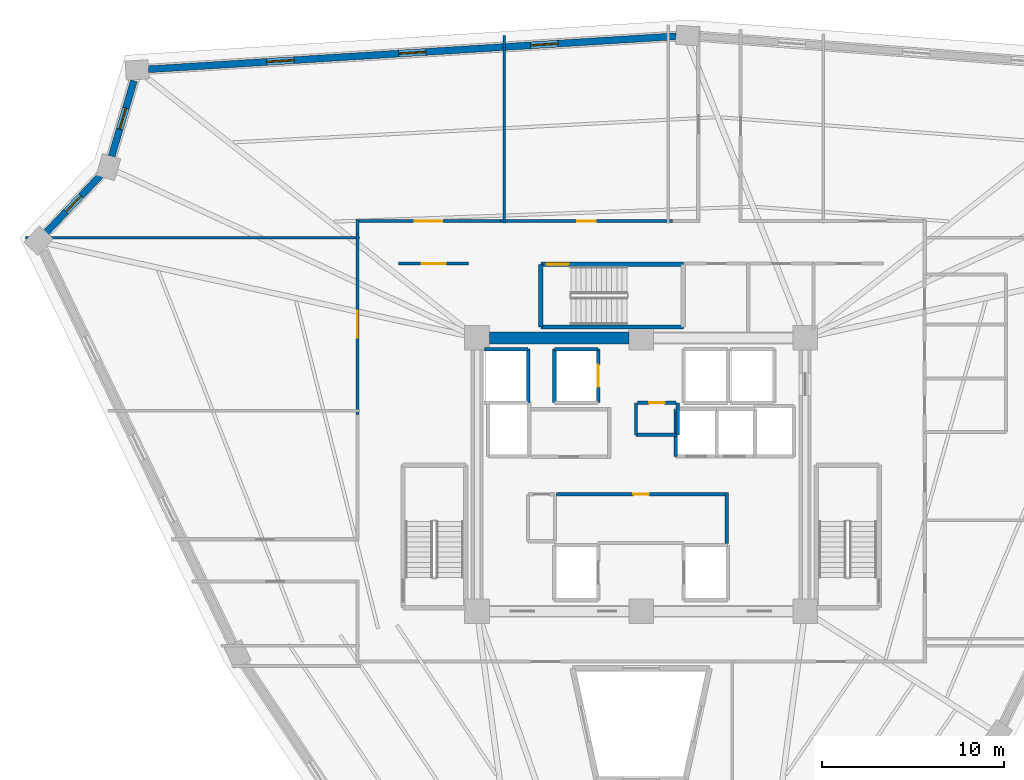
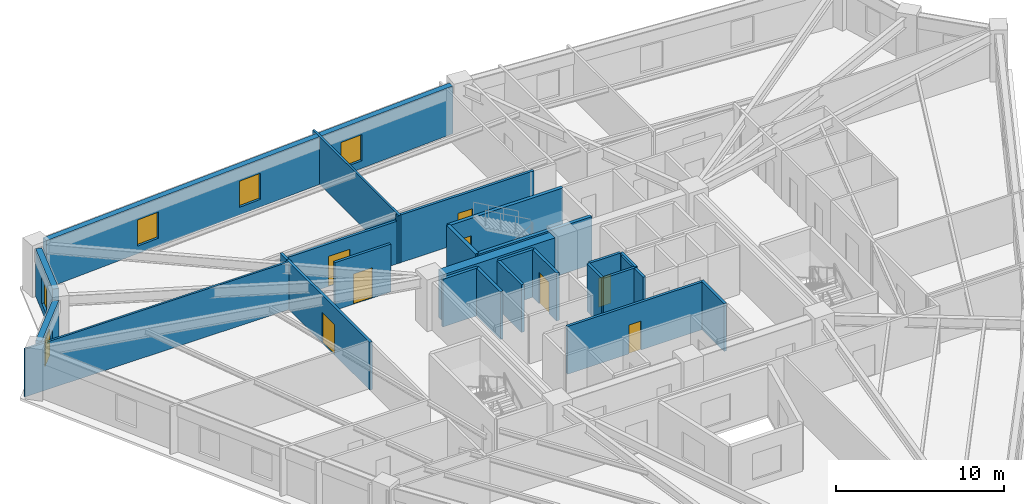
# One storey, part 5 of 9: 26 walls, 8 doors, 5 windows, 13 openings.
"""IFC4 building model written with IfcOpenShell, lengths in metres."""

from ifc_helpers import new_model, si_unit, direction, frame, frame_2d, origin, place, context, subcontext, project, spatial, rectangle, extrude, source, transform, mapped, material, layer, layer_set, type_object, element, fill, save


model = new_model("IFC4")

# Units and contexts
model_context = context("Model", 3, precision=1e-05, world=origin(), true_north=direction((0.0, 1.0)))
body_context = subcontext(model_context, "Body", "Model", "MODEL_VIEW")
ifc_project = project(units=[si_unit("LENGTHUNIT", "METRE"), si_unit("AREAUNIT", "SQUARE_METRE"), si_unit("VOLUMEUNIT", "CUBIC_METRE"), si_unit("PLANEANGLEUNIT", "RADIAN"), si_unit("MASSUNIT", "GRAM", prefix="KILO")], contexts=[model_context])

# Site, building, storey
site_placement = place(None, origin())
site = spatial("IfcSite", under=ifc_project, at=site_placement, CompositionType="ELEMENT")
building_placement = place(site_placement, origin())
building = spatial("IfcBuilding", under=site, at=building_placement, Name="Liaohun Quay Tower", CompositionType="ELEMENT")
storey_placement = place(building_placement, frame((0.0, 0.0, 228.0)))
storey = spatial("IfcBuildingStorey", under=building, at=storey_placement, Name="L59", CompositionType="ELEMENT", Elevation=228.0)

# Wall
ifc_material_1 = material(Name="Concrete C55", Category="concrete")
ifc_layer_1 = layer(ifc_material_1, 0.64990234375, Name="Concrete C55", Category="concrete")
ifc_layer_set_1 = layer_set([ifc_layer_1], Name="Concrete C55")
wall_type_1 = type_object("IfcWallType", Name="WAL-COR-Z3", PredefinedType="SHEAR", material=ifc_layer_set_1)
wall_1_placement = place(storey_placement, frame((51.675048828125, 61.5, 0.0), z_axis=(0.0, 0.0, 1.0), x_axis=(1.0, 0.0, 0.0)))
element("IfcWall", 1, at=wall_1_placement, inside=storey, type_object=wall_type_1, Name="L59 Central Core Shear Wall N-W", PredefinedType="SHEAR", context=body_context, shape_type="SweptSolid", body=[
    extrude(rectangle(XDim=7.64990234375, YDim=0.64990234375, at=frame_2d((3.824951171875, 0.0))), origin(), (0.0, 0.0, 1.0), 3.469970703125),
])

# Wall, openings, windows
ifc_material_2 = material(Name="Precast concrete C50 insulated sandwich", Category="concrete")
ifc_layer_2 = layer(ifc_material_2, 0.3798828125, Name="Precast concrete C50 insulated sandwich", Category="concrete")
ifc_layer_set_2 = layer_set([ifc_layer_2], Name="Precast concrete C50 insulated sandwich")
wall_type_2 = type_object("IfcWallType", Name="WAL-EXT-Z34", PredefinedType="SOLIDWALL", material=ifc_layer_set_2)
wall_2_placement = place(storey_placement, frame((61.927978515625, 78.052978515625, 0.0), z_axis=(0.0, 0.0, 1.0), x_axis=(-0.998042647874, -0.062536973258, 0.0)))
wall_2 = element("IfcWall", 2, at=wall_2_placement, inside=storey, type_object=wall_type_2, Name="L59 Brutalist Precast Pier Wall 07", PredefinedType="SOLIDWALL", context=body_context, shape_type="SweptSolid", body=[
    extrude(rectangle(XDim=29.02197265625, YDim=0.3798828125, at=frame_2d((14.510986328125, 0.0))), origin(), (0.0, 0.0, 1.0), 3.469970703125),
])
shared_shape_1 = source(origin(), body_context, "Body", "SweptSolid", [
    extrude(rectangle(XDim=1.5, YDim=1.89990234375, at=frame_2d((0.75, 0.949951171875))), frame((0.0, 0.199951171875, 0.0), z_axis=(0.0, -1.0, 0.0), x_axis=(1.0, 0.0, 0.0)), (0.0, 0.0, 1.0), 0.39990234375),
])
opening_1_placement = place(wall_2_placement, frame((6.5048828125, 0.0, 0.550048828125)))
opening_1 = element("IfcOpeningElement", 3, at=opening_1_placement, cuts=wall_2, Name="Opening W03", PredefinedType="OPENING", context=body_context, shape_type="MappedRepresentation", body=[
    mapped(shared_shape_1, transform((0.0, 0.0, 0.0), x_axis=(1.0, 0.0, 0.0), y_axis=(0.0, 1.0, 0.0), z_axis=(0.0, 0.0, 1.0), scale=1.0)),
])
opening_2_placement = place(wall_2_placement, frame((13.760986328125, 0.0, 0.550048828125)))
opening_2 = element("IfcOpeningElement", 4, at=opening_2_placement, cuts=wall_2, Name="Opening W03", PredefinedType="OPENING", context=body_context, shape_type="MappedRepresentation", body=[
    mapped(shared_shape_1, transform((0.0, 0.0, 0.0), x_axis=(1.0, 0.0, 0.0), y_axis=(0.0, 1.0, 0.0), z_axis=(0.0, 0.0, 1.0), scale=1.0)),
])
opening_3_placement = place(wall_2_placement, frame((21.01611328125, 0.0, 0.550048828125)))
opening_3 = element("IfcOpeningElement", 5, at=opening_3_placement, cuts=wall_2, Name="Opening W03", PredefinedType="OPENING", context=body_context, shape_type="MappedRepresentation", body=[
    mapped(shared_shape_1, transform((0.0, 0.0, 0.0), x_axis=(1.0, 0.0, 0.0), y_axis=(0.0, 1.0, 0.0), z_axis=(0.0, 0.0, 1.0), scale=1.0)),
])
ifc_material_3 = material(Name="Triple Low-E argon glazing in thermally broken aluminium", Category="aluminium")
window_type_1 = type_object("IfcWindowType", Name="WIN-PUN-Z3", PartitioningType="DOUBLE_PANEL_VERTICAL", PredefinedType="WINDOW", material=ifc_material_3)
shared_shape_2 = source(origin(), body_context, "Body", "SweptSolid", [
    extrude(rectangle(XDim=1.5, YDim=1.89990234375, at=frame_2d((0.75, 0.949951171875))), frame((0.0, 0.030029296875, 0.0), z_axis=(0.0, -1.0, 0.0), x_axis=(1.0, 0.0, 0.0)), (0.0, 0.0, 1.0), 0.06005859375),
])
window_1_placement = place(opening_1_placement, origin())
window_1 = element("IfcWindow", 6, at=window_1_placement, inside=storey, type_object=window_type_1, Name="L59 Recessed Cold-Climate Punched Window 07-1", OverallHeight=1.89990234375, OverallWidth=1.5, PartitioningType="DOUBLE_PANEL_VERTICAL", PredefinedType="WINDOW", context=body_context, shape_type="MappedRepresentation", body=[
    mapped(shared_shape_2, transform((0.0, 0.0, 0.0), x_axis=(1.0, 0.0, 0.0), y_axis=(0.0, 1.0, 0.0), z_axis=(0.0, 0.0, 1.0), scale=1.0)),
])
fill(opening_1, window_1)
window_2_placement = place(opening_2_placement, origin())
window_2 = element("IfcWindow", 7, at=window_2_placement, inside=storey, type_object=window_type_1, Name="L59 Recessed Cold-Climate Punched Window 07-2", OverallHeight=1.89990234375, OverallWidth=1.5, PartitioningType="DOUBLE_PANEL_VERTICAL", PredefinedType="WINDOW", context=body_context, shape_type="MappedRepresentation", body=[
    mapped(shared_shape_2, transform((0.0, 0.0, 0.0), x_axis=(1.0, 0.0, 0.0), y_axis=(0.0, 1.0, 0.0), z_axis=(0.0, 0.0, 1.0), scale=1.0)),
])
fill(opening_2, window_2)
window_3_placement = place(opening_3_placement, origin())
window_3 = element("IfcWindow", 8, at=window_3_placement, inside=storey, type_object=window_type_1, Name="L59 Recessed Cold-Climate Punched Window 07-3", OverallHeight=1.89990234375, OverallWidth=1.5, PartitioningType="DOUBLE_PANEL_VERTICAL", PredefinedType="WINDOW", context=body_context, shape_type="MappedRepresentation", body=[
    mapped(shared_shape_2, transform((0.0, 0.0, 0.0), x_axis=(1.0, 0.0, 0.0), y_axis=(0.0, 1.0, 0.0), z_axis=(0.0, 0.0, 1.0), scale=1.0)),
])
fill(opening_3, window_3)

# Wall, opening, window
wall_3_placement = place(storey_placement, frame((32.175048828125, 75.610107421875, 0.0), z_axis=(0.0, 0.0, 1.0), x_axis=(-0.282762120178, -0.959190066354, 0.0)))
wall_3 = element("IfcWall", 9, at=wall_3_placement, inside=storey, type_object=wall_type_2, Name="L59 Brutalist Precast Pier Wall 08", PredefinedType="SOLIDWALL", context=body_context, shape_type="SweptSolid", body=[
    extrude(rectangle(XDim=4.32568359375, YDim=0.3798828125, at=frame_2d((2.162841796875, 0.0))), origin(), (0.0, 0.0, 1.0), 3.469970703125),
])
shared_shape_3 = source(origin(), body_context, "Body", "SweptSolid", [
    extrude(rectangle(XDim=1.199951171875, YDim=1.89990234375, at=frame_2d((0.60009765625, 0.949951171875))), frame((0.0, 0.199951171875, 0.0), z_axis=(0.0, -1.0, 0.0), x_axis=(1.0, 0.0, 0.0)), (0.0, 0.0, 1.0), 0.39990234375),
])
opening_4_placement = place(wall_3_placement, frame((1.56298828125, 0.0, 0.550048828125)))
opening_4 = element("IfcOpeningElement", 10, at=opening_4_placement, cuts=wall_3, Name="Opening W05", PredefinedType="OPENING", context=body_context, shape_type="MappedRepresentation", body=[
    mapped(shared_shape_3, transform((0.0, 0.0, 0.0), x_axis=(1.0, 0.0, 0.0), y_axis=(0.0, 1.0, 0.0), z_axis=(0.0, 0.0, 1.0), scale=1.0)),
])
ifc_material_4 = material(Name="Triple Low-E corner notch glazing", Category="glass")
window_type_2 = type_object("IfcWindowType", Name="WIN-NOTCH", PartitioningType="SINGLE_PANEL", PredefinedType="WINDOW", material=ifc_material_4)
shared_shape_4 = source(origin(), body_context, "Body", "SweptSolid", [
    extrude(rectangle(XDim=1.199951171875, YDim=1.89990234375, at=frame_2d((0.60009765625, 0.949951171875))), frame((0.0, 0.030029296875, 0.0), z_axis=(0.0, -1.0, 0.0), x_axis=(1.0, 0.0, 0.0)), (0.0, 0.0, 1.0), 0.06005859375),
])
window_4_placement = place(opening_4_placement, origin())
window_4 = element("IfcWindow", 11, at=window_4_placement, inside=storey, type_object=window_type_2, Name="L59 Corner Notch Window W05-08", OverallHeight=1.89990234375, OverallWidth=1.199951171875, PartitioningType="SINGLE_PANEL", PredefinedType="WINDOW", context=body_context, shape_type="MappedRepresentation", body=[
    mapped(shared_shape_4, transform((0.0, 0.0, 0.0), x_axis=(1.0, 0.0, 0.0), y_axis=(0.0, 1.0, 0.0), z_axis=(0.0, 0.0, 1.0), scale=1.0)),
])
fill(opening_4, window_4)

wall_4_placement = place(storey_placement, frame((30.35400390625, 70.425048828125, 0.0), z_axis=(0.0, 0.0, 1.0), x_axis=(-0.689360975367, -0.724418004774, 0.0)))
wall_4 = element("IfcWall", 12, at=wall_4_placement, inside=storey, type_object=wall_type_2, Name="L59 Brutalist Precast Pier Wall 09", PredefinedType="SOLIDWALL", context=body_context, shape_type="SweptSolid", body=[
    extrude(rectangle(XDim=4.331787109375, YDim=0.3798828125, at=frame_2d((2.166015625, 0.0))), origin(), (0.0, 0.0, 1.0), 3.469970703125),
])
opening_5_placement = place(wall_4_placement, frame((1.56591796875, 0.0, 0.550048828125)))
opening_5 = element("IfcOpeningElement", 13, at=opening_5_placement, cuts=wall_4, Name="Opening W05", PredefinedType="OPENING", context=body_context, shape_type="MappedRepresentation", body=[
    mapped(shared_shape_3, transform((0.0, 0.0, 0.0), x_axis=(1.0, 0.0, 0.0), y_axis=(0.0, 1.0, 0.0), z_axis=(0.0, 0.0, 1.0), scale=1.0)),
])
window_5_placement = place(opening_5_placement, origin())
window_5 = element("IfcWindow", 14, at=window_5_placement, inside=storey, type_object=window_type_2, Name="L59 Corner Notch Window W05-09", OverallHeight=1.89990234375, OverallWidth=1.199951171875, PartitioningType="SINGLE_PANEL", PredefinedType="WINDOW", context=body_context, shape_type="MappedRepresentation", body=[
    mapped(shared_shape_4, transform((0.0, 0.0, 0.0), x_axis=(1.0, 0.0, 0.0), y_axis=(0.0, 1.0, 0.0), z_axis=(0.0, 0.0, 1.0), scale=1.0)),
])
fill(opening_5, window_5)

# Wall, opening, door
ifc_material_5 = material(Name="Autoclaved aerated concrete blockwork", Category="masonry")
ifc_layer_3 = layer(ifc_material_5, 0.179931640625, Name="Autoclaved aerated concrete blockwork", Category="masonry")
ifc_layer_set_3 = layer_set([ifc_layer_3], Name="Autoclaved aerated concrete blockwork")
wall_type_3 = type_object("IfcWallType", Name="WAL-PRT-COR", PredefinedType="PARTITIONING", material=ifc_layer_set_3)
wall_5_placement = place(storey_placement, frame((55.3701171875, 52.919921875, 0.0), z_axis=(0.0, 0.0, 1.0), x_axis=(1.0, 0.0, 0.0)))
wall_5 = element("IfcWall", 15, at=wall_5_placement, inside=storey, type_object=wall_type_3, Name="L59 Interior Partition Wall 001", PredefinedType="PARTITIONING", context=body_context, shape_type="SweptSolid", body=[
    extrude(rectangle(XDim=9.239990234375, YDim=0.179931640625, at=frame_2d((4.6201171875, 0.0))), origin(), (0.0, 0.0, 1.0), 3.469970703125),
])
shared_shape_5 = source(origin(), body_context, "Body", "SweptSolid", [
    extrude(rectangle(XDim=0.85009765625, YDim=2.10009765625, at=frame_2d((0.425048828125, 1.050048828125))), frame((0.0, 0.099853515625, 0.0), z_axis=(0.0, -1.0, 0.0), x_axis=(1.0, 0.0, 0.0)), (0.0, 0.0, 1.0), 0.199951171875),
])
opening_6_placement = place(wall_5_placement, frame((4.205078125, 0.0, 0.0)))
opening_6 = element("IfcOpeningElement", 16, at=opening_6_placement, cuts=wall_5, Name="Opening AD1", PredefinedType="OPENING", context=body_context, shape_type="MappedRepresentation", body=[
    mapped(shared_shape_5, transform((0.0, 0.0, 0.0), x_axis=(1.0, 0.0, 0.0), y_axis=(0.0, 1.0, 0.0), z_axis=(0.0, 0.0, 1.0), scale=1.0)),
])
ifc_material_6 = material(Name="Steel riser inspection fire door", Category="steel")
door_type_1 = type_object("IfcDoorType", Name="DOR-SHF-850", OperationType="NOTDEFINED", PredefinedType="DOOR", material=ifc_material_6)
shared_shape_6 = source(origin(), body_context, "Body", "SweptSolid", [
    extrude(rectangle(XDim=0.85009765625, YDim=2.10009765625, at=frame_2d((0.425048828125, 1.050048828125))), frame((0.0, 0.02490234375, 0.0), z_axis=(0.0, -1.0, 0.0), x_axis=(1.0, 0.0, 0.0)), (0.0, 0.0, 1.0), 0.050048828125),
])
door_1_placement = place(opening_6_placement, origin())
door_1 = element("IfcDoor", 17, at=door_1_placement, inside=storey, type_object=door_type_1, Name="L59 Core Tenant Storage and Archive Room Door", OperationType="SINGLE_SWING_RIGHT", OverallHeight=2.10009765625, OverallWidth=0.85009765625, PredefinedType="DOOR", context=body_context, shape_type="MappedRepresentation", body=[
    mapped(shared_shape_6, transform((0.0, 0.0, 0.0), x_axis=(1.0, 0.0, 0.0), y_axis=(0.0, 1.0, 0.0), z_axis=(0.0, 0.0, 1.0), scale=1.0)),
])
fill(opening_6, door_1)

wall_6_placement = place(storey_placement, frame((59.81005859375, 57.949951171875, 0.0), z_axis=(0.0, 0.0, 1.0), x_axis=(1.0, 0.0, 0.0)))
wall_6 = element("IfcWall", 18, at=wall_6_placement, inside=storey, type_object=wall_type_3, Name="L59 Interior Partition Wall 003", PredefinedType="PARTITIONING", context=body_context, shape_type="SweptSolid", body=[
    extrude(rectangle(XDim=2.10986328125, YDim=0.179931640625, at=frame_2d((1.054931640625, 0.0))), origin(), (0.0, 0.0, 1.0), 3.469970703125),
])
opening_7_placement = place(wall_6_placement, frame((0.635009765625, 0.0, 0.0)))
opening_7 = element("IfcOpeningElement", 19, at=opening_7_placement, cuts=wall_6, Name="Opening AD1", PredefinedType="OPENING", context=body_context, shape_type="MappedRepresentation", body=[
    mapped(shared_shape_5, transform((0.0, 0.0, 0.0), x_axis=(1.0, 0.0, 0.0), y_axis=(0.0, 1.0, 0.0), z_axis=(0.0, 0.0, 1.0), scale=1.0)),
])
door_2_placement = place(opening_7_placement, origin())
door_2 = element("IfcDoor", 20, at=door_2_placement, inside=storey, type_object=door_type_1, Name="L59 Core Janitor and Cleaner Store Door", OperationType="SINGLE_SWING_RIGHT", OverallHeight=2.10009765625, OverallWidth=0.85009765625, PredefinedType="DOOR", context=body_context, shape_type="MappedRepresentation", body=[
    mapped(shared_shape_6, transform((0.0, 0.0, 0.0), x_axis=(1.0, 0.0, 0.0), y_axis=(0.0, 1.0, 0.0), z_axis=(0.0, 0.0, 1.0), scale=1.0)),
])
fill(opening_7, door_2)

wall_7_placement = place(storey_placement, frame((46.699951171875, 65.580078125, 0.0), z_axis=(0.0, 0.0, 1.0), x_axis=(1.0, 0.0, 0.0)))
wall_7 = element("IfcWall", 21, at=wall_7_placement, inside=storey, type_object=wall_type_3, Name="L59 Interior Partition Wall 010", PredefinedType="PARTITIONING", context=body_context, shape_type="SweptSolid", body=[
    extrude(rectangle(XDim=3.840087890625, YDim=0.179931640625, at=frame_2d((1.919921875, 0.0))), origin(), (0.0, 0.0, 1.0), 3.469970703125),
])
shared_shape_7 = source(origin(), body_context, "Body", "SweptSolid", [
    extrude(rectangle(XDim=1.300048828125, YDim=2.199951171875, at=frame_2d((0.64990234375, 1.10009765625))), frame((0.0, 0.099853515625, 0.0), z_axis=(0.0, -1.0, 0.0), x_axis=(1.0, 0.0, 0.0)), (0.0, 0.0, 1.0), 0.199951171875),
])
opening_8_placement = place(wall_7_placement, frame((1.27001953125, 0.0, 0.0)))
opening_8 = element("IfcOpeningElement", 22, at=opening_8_placement, cuts=wall_7, Name="Opening FD1", PredefinedType="OPENING", context=body_context, shape_type="MappedRepresentation", body=[
    mapped(shared_shape_7, transform((0.0, 0.0, 0.0), x_axis=(1.0, 0.0, 0.0), y_axis=(0.0, 1.0, 0.0), z_axis=(0.0, 0.0, 1.0), scale=1.0)),
])
ifc_material_7 = material(Name="Galvanised steel smokeproof fire door", Category="steel")
door_type_2 = type_object("IfcDoorType", Name="DOR-FFL-1300", OperationType="NOTDEFINED", PredefinedType="DOOR", material=ifc_material_7)
shared_shape_8 = source(origin(), body_context, "Body", "SweptSolid", [
    extrude(rectangle(XDim=1.300048828125, YDim=2.199951171875, at=frame_2d((0.64990234375, 1.10009765625))), frame((0.0, 0.02490234375, 0.0), z_axis=(0.0, -1.0, 0.0), x_axis=(1.0, 0.0, 0.0)), (0.0, 0.0, 1.0), 0.050048828125),
])
door_3_placement = place(opening_8_placement, origin())
door_3 = element("IfcDoor", 23, at=door_3_placement, inside=storey, type_object=door_type_2, Name="L59 West Core Vestibule Door", OperationType="SINGLE_SWING_LEFT", OverallHeight=2.199951171875, OverallWidth=1.300048828125, PredefinedType="DOOR", context=body_context, shape_type="MappedRepresentation", body=[
    mapped(shared_shape_8, transform((0.0, 0.0, 0.0), x_axis=(1.0, 0.0, 0.0), y_axis=(0.0, 1.0, 0.0), z_axis=(0.0, 0.0, 1.0), scale=1.0)),
])
fill(opening_8, door_3)

wall_8_placement = place(storey_placement, frame((52.284912109375, 67.909912109375, 0.0), z_axis=(0.0, 0.0, 1.0), x_axis=(1.0, 0.0, 0.0)))
wall_8 = element("IfcWall", 24, at=wall_8_placement, inside=storey, type_object=wall_type_3, Name="L59 Interior Partition Wall 016", PredefinedType="PARTITIONING", context=body_context, shape_type="SweptSolid", body=[
    extrude(rectangle(XDim=9.43017578125, YDim=0.179931640625, at=frame_2d((4.715087890625, 0.0))), origin(), (0.0, 0.0, 1.0), 3.469970703125),
])
shared_shape_9 = source(origin(), body_context, "Body", "SweptSolid", [
    extrude(rectangle(XDim=1.0, YDim=2.199951171875, at=frame_2d((0.5, 1.10009765625))), frame((0.0, 0.099853515625, 0.0), z_axis=(0.0, -1.0, 0.0), x_axis=(1.0, 0.0, 0.0)), (0.0, 0.0, 1.0), 0.199951171875),
])
opening_9_placement = place(wall_8_placement, frame((4.215087890625, 0.0, 0.0)))
opening_9 = element("IfcOpeningElement", 25, at=opening_9_placement, cuts=wall_8, Name="Opening OD1", PredefinedType="OPENING", context=body_context, shape_type="MappedRepresentation", body=[
    mapped(shared_shape_9, transform((0.0, 0.0, 0.0), x_axis=(1.0, 0.0, 0.0), y_axis=(0.0, 1.0, 0.0), z_axis=(0.0, 0.0, 1.0), scale=1.0)),
])
ifc_material_8 = material(Name="Solid-core oak veneer timber leaf in steel frame", Category="steel")
door_type_3 = type_object("IfcDoorType", Name="DOR-OFF-1000", OperationType="NOTDEFINED", PredefinedType="DOOR", material=ifc_material_8)
shared_shape_10 = source(origin(), body_context, "Body", "SweptSolid", [
    extrude(rectangle(XDim=1.0, YDim=2.199951171875, at=frame_2d((0.5, 1.10009765625))), frame((0.0, 0.02490234375, 0.0), z_axis=(0.0, -1.0, 0.0), x_axis=(1.0, 0.0, 0.0)), (0.0, 0.0, 1.0), 0.050048828125),
])
door_4_placement = place(opening_9_placement, origin())
door_4 = element("IfcDoor", 26, at=door_4_placement, inside=storey, type_object=door_type_3, Name="L59 Corporate Exhibition Gallery 05 Door", OperationType="SINGLE_SWING_LEFT", OverallHeight=2.199951171875, OverallWidth=1.0, PredefinedType="DOOR", context=body_context, shape_type="MappedRepresentation", body=[
    mapped(shared_shape_10, transform((0.0, 0.0, 0.0), x_axis=(1.0, 0.0, 0.0), y_axis=(0.0, 1.0, 0.0), z_axis=(0.0, 0.0, 1.0), scale=1.0)),
])
fill(opening_9, door_4)

wall_9_placement = place(storey_placement, frame((44.3701171875, 67.909912109375, 0.0), z_axis=(0.0, 0.0, 1.0), x_axis=(1.0, 0.0, 0.0)))
wall_9 = element("IfcWall", 27, at=wall_9_placement, inside=storey, type_object=wall_type_3, Name="L59 Interior Partition Wall 017", PredefinedType="PARTITIONING", context=body_context, shape_type="SweptSolid", body=[
    extrude(rectangle(XDim=7.914794921875, YDim=0.179931640625, at=frame_2d((3.95751953125, 0.0))), origin(), (0.0, 0.0, 1.0), 3.10498046875),
])
shared_shape_11 = source(origin(), body_context, "Body", "SweptSolid", [
    extrude(rectangle(XDim=1.5, YDim=2.199951171875, at=frame_2d((0.75, 1.10009765625))), frame((0.0, 0.099853515625, 0.0), z_axis=(0.0, -1.0, 0.0), x_axis=(1.0, 0.0, 0.0)), (0.0, 0.0, 1.0), 0.199951171875),
])
opening_10_placement = place(wall_9_placement, frame((3.20703125, 0.0, 0.0)))
opening_10 = element("IfcOpeningElement", 28, at=opening_10_placement, cuts=wall_9, Name="Opening OD2", PredefinedType="OPENING", context=body_context, shape_type="MappedRepresentation", body=[
    mapped(shared_shape_11, transform((0.0, 0.0, 0.0), x_axis=(1.0, 0.0, 0.0), y_axis=(0.0, 1.0, 0.0), z_axis=(0.0, 0.0, 1.0), scale=1.0)),
])
ifc_material_9 = material(Name="Acoustic oak veneer double door")
door_type_4 = type_object("IfcDoorType", Name="DOR-OFF-1500", OperationType="DOUBLE_DOOR_SINGLE_SWING", PredefinedType="DOOR", material=ifc_material_9)
shared_shape_12 = source(origin(), body_context, "Body", "SweptSolid", [
    extrude(rectangle(XDim=1.5, YDim=2.199951171875, at=frame_2d((0.75, 1.10009765625))), frame((0.0, 0.02490234375, 0.0), z_axis=(0.0, -1.0, 0.0), x_axis=(1.0, 0.0, 0.0)), (0.0, 0.0, 1.0), 0.050048828125),
])
door_5_placement = place(opening_10_placement, origin())
door_5 = element("IfcDoor", 29, at=door_5_placement, inside=storey, type_object=door_type_4, Name="L59 Staff Tea Kitchen and Pantry 06 Door", OperationType="DOUBLE_DOOR_SINGLE_SWING", OverallHeight=2.199951171875, OverallWidth=1.5, PredefinedType="DOOR", context=body_context, shape_type="MappedRepresentation", body=[
    mapped(shared_shape_12, transform((0.0, 0.0, 0.0), x_axis=(1.0, 0.0, 0.0), y_axis=(0.0, 1.0, 0.0), z_axis=(0.0, 0.0, 1.0), scale=1.0)),
])
fill(opening_10, door_5)

wall_10_placement = place(storey_placement, frame((44.43994140625, 57.284912109375, 0.0), z_axis=(0.0, 0.0, 1.0), x_axis=(0.0, 1.0, 0.0)))
wall_10 = element("IfcWall", 30, at=wall_10_placement, inside=storey, type_object=wall_type_3, Name="L59 Interior Partition Wall 018", PredefinedType="PARTITIONING", context=body_context, shape_type="SweptSolid", body=[
    extrude(rectangle(XDim=9.93017578125, YDim=0.179931640625, at=frame_2d((4.965087890625, 0.0))), origin(), (0.0, 0.0, 1.0), 3.469970703125),
])
opening_11_placement = place(wall_10_placement, frame((4.215087890625, 0.0, 0.0)))
opening_11 = element("IfcOpeningElement", 31, at=opening_11_placement, cuts=wall_10, Name="Opening OD2", PredefinedType="OPENING", context=body_context, shape_type="MappedRepresentation", body=[
    mapped(shared_shape_11, transform((0.0, 0.0, 0.0), x_axis=(1.0, 0.0, 0.0), y_axis=(0.0, 1.0, 0.0), z_axis=(0.0, 0.0, 1.0), scale=1.0)),
])
door_6_placement = place(opening_11_placement, origin())
door_6 = element("IfcDoor", 32, at=door_6_placement, inside=storey, type_object=door_type_4, Name="L59 Staff Daycare Nursery 07 Door", OperationType="DOUBLE_DOOR_SINGLE_SWING", OverallHeight=2.199951171875, OverallWidth=1.5, PredefinedType="DOOR", context=body_context, shape_type="MappedRepresentation", body=[
    mapped(shared_shape_12, transform((0.0, 0.0, 0.0), x_axis=(1.0, 0.0, 0.0), y_axis=(0.0, 1.0, 0.0), z_axis=(0.0, 0.0, 1.0), scale=1.0)),
])
fill(opening_11, door_6)

# Walls
for number, where, z_axis, x_axis, name in (
    (33, (59.719970703125, 56.179931640625, 0.0), (0.0, 0.0, 1.0), (0.0, 1.0, 0.0), "L59 Interior Partition Wall 024"),
    (34, (62.010009765625, 56.179931640625, 0.0), (0.0, 0.0, 1.0), (0.0, 1.0, 0.0), "L59 Interior Partition Wall 025"),
):
    element("IfcWall", number, at=place(storey_placement, frame(where, z_axis=z_axis, x_axis=x_axis)), inside=storey, type_object=wall_type_3, Name=name, PredefinedType="PARTITIONING", context=body_context, shape_type="SweptSolid", body=[
        extrude(rectangle(XDim=1.739990234375, YDim=0.179931640625, at=frame_2d((0.8701171875, 0.0))), origin(), (0.0, 0.0, 1.0), 3.469970703125),
    ])
wall_11_placement = place(storey_placement, frame((59.719970703125, 56.179931640625, 0.0), z_axis=(0.0, 0.0, 1.0), x_axis=(1.0, 0.0, 0.0)))
element("IfcWall", 35, at=wall_11_placement, inside=storey, type_object=wall_type_3, Name="L59 Interior Partition Wall 026", PredefinedType="PARTITIONING", context=body_context, shape_type="SweptSolid", body=[
    extrude(rectangle(XDim=2.2900390625, YDim=0.179931640625, at=frame_2d((1.14501953125, 0.0))), origin(), (0.0, 0.0, 1.0), 3.469970703125),
])
wall_12_placement = place(storey_placement, frame((44.43994140625, 67.215087890625, 0.0), z_axis=(0.0, 0.0, 1.0), x_axis=(0.0, 1.0, 0.0)))
element("IfcWall", 36, at=wall_12_placement, inside=storey, type_object=wall_type_3, Name="L59 Interior Partition Wall 041", PredefinedType="PARTITIONING", context=body_context, shape_type="SweptSolid", body=[
    extrude(rectangle(XDim=0.764892578125, YDim=0.179931640625, at=frame_2d((0.38232421875, 0.0))), origin(), (0.0, 0.0, 1.0), 3.469970703125),
])
wall_13_placement = place(storey_placement, frame((64.699951171875, 50.219970703125, 0.0), z_axis=(0.0, 0.0, 1.0), x_axis=(0.0, 1.0, 0.0)))
element("IfcWall", 37, at=wall_13_placement, inside=storey, type_object=wall_type_3, Name="L59 Interior Partition Wall 058", PredefinedType="PARTITIONING", context=body_context, shape_type="SweptSolid", body=[
    extrude(rectangle(XDim=2.7900390625, YDim=0.179931640625, at=frame_2d((1.39501953125, 0.0))), origin(), (0.0, 0.0, 1.0), 3.469970703125),
])
ifc_material_10 = material(Name="Gypsum board on twin steel studs", Category="steel")
ifc_layer_4 = layer(ifc_material_10, 0.139892578125, Name="Gypsum board on twin steel studs", Category="steel")
ifc_layer_set_4 = layer_set([ifc_layer_4], Name="Gypsum board on twin steel studs")
wall_type_4 = type_object("IfcWallType", Name="WAL-PRT-OFF", PredefinedType="PARTITIONING", material=ifc_layer_set_4)
wall_14_placement = place(storey_placement, frame((44.5400390625, 67.0, 0.0), z_axis=(0.0, 0.0, 1.0), x_axis=(-1.0, 0.0, 0.0)))
element("IfcWall", 38, at=wall_14_placement, inside=storey, type_object=wall_type_4, Name="L59 Interior Partition Wall 049", PredefinedType="PARTITIONING", context=body_context, shape_type="SweptSolid", body=[
    extrude(rectangle(XDim=18.31396484375, YDim=0.139892578125, at=frame_2d((9.156982421875, 0.0))), origin(), (0.0, 0.0, 1.0), 3.469970703125),
])
wall_15_placement = place(storey_placement, frame((52.5, 67.81005859375, 0.0), z_axis=(0.0, 0.0, 1.0), x_axis=(0.0, 1.0, 0.0)))
element("IfcWall", 39, at=wall_15_placement, inside=storey, type_object=wall_type_4, Name="L59 Interior Partition Wall 054", PredefinedType="PARTITIONING", context=body_context, shape_type="SweptSolid", body=[
    extrude(rectangle(XDim=10.282958984375, YDim=0.139892578125, at=frame_2d((5.1416015625, 0.0))), origin(), (0.0, 0.0, 1.0), 3.469970703125),
])
ifc_material_11 = material(Name="Concrete C50", Category="concrete")
ifc_layer_5 = layer(ifc_material_11, 0.239990234375, Name="Concrete C50", Category="concrete")
ifc_layer_set_5 = layer_set([ifc_layer_5], Name="Concrete C50")
wall_type_5 = type_object("IfcWallType", Name="WAL-SHF-200", PredefinedType="SOLIDWALL", material=ifc_layer_set_5)
wall_16_placement = place(storey_placement, frame((54.5, 62.10009765625, 0.0), z_axis=(0.0, 0.0, 1.0), x_axis=(1.0, 0.0, 0.0)))
element("IfcWall", 40, at=wall_16_placement, inside=storey, type_object=wall_type_5, Name="L59 Stairwell ST-3 Structural Core Wall S", PredefinedType="SOLIDWALL", context=body_context, shape_type="SweptSolid", body=[
    extrude(rectangle(XDim=7.820068359375, YDim=0.239990234375, at=frame_2d((3.91015625, 0.0))), origin(), (0.0, 0.0, 1.0), 3.469970703125),
])

# Wall, opening, door
wall_17_placement = place(storey_placement, frame((62.320068359375, 65.5400390625, 0.0), z_axis=(0.0, 0.0, 1.0), x_axis=(-1.0, 0.0, 0.0)))
wall_17 = element("IfcWall", 41, at=wall_17_placement, inside=storey, type_object=wall_type_5, Name="L59 Stairwell ST-3 Structural Core Wall N", PredefinedType="SOLIDWALL", context=body_context, shape_type="SweptSolid", body=[
    extrude(rectangle(XDim=7.820068359375, YDim=0.239990234375, at=frame_2d((3.91015625, 0.0))), origin(), (0.0, 0.0, 1.0), 3.469970703125),
])
shared_shape_13 = source(origin(), body_context, "Body", "SweptSolid", [
    extrude(rectangle(XDim=1.199951171875, YDim=2.199951171875, at=frame_2d((0.60009765625, 1.10009765625))), frame((0.0, 0.1298828125, 0.0), z_axis=(0.0, -1.0, 0.0), x_axis=(1.0, 0.0, 0.0)), (0.0, 0.0, 1.0), 0.260009765625),
])
opening_12_placement = place(wall_17_placement, frame((6.300048828125, 0.0, 0.0)))
opening_12 = element("IfcOpeningElement", 42, at=opening_12_placement, cuts=wall_17, Name="Opening SD1", PredefinedType="OPENING", context=body_context, shape_type="MappedRepresentation", body=[
    mapped(shared_shape_13, transform((0.0, 0.0, 0.0), x_axis=(1.0, 0.0, 0.0), y_axis=(0.0, 1.0, 0.0), z_axis=(0.0, 0.0, 1.0), scale=1.0)),
])
ifc_material_12 = material(Name="Galvanised steel fire door", Category="steel")
door_type_5 = type_object("IfcDoorType", Name="DOR-STR-1200", OperationType="NOTDEFINED", PredefinedType="DOOR", material=ifc_material_12)
shared_shape_14 = source(origin(), body_context, "Body", "SweptSolid", [
    extrude(rectangle(XDim=1.199951171875, YDim=2.199951171875, at=frame_2d((0.60009765625, 1.10009765625))), frame((0.0, 0.02490234375, 0.0), z_axis=(0.0, -1.0, 0.0), x_axis=(1.0, 0.0, 0.0)), (0.0, 0.0, 1.0), 0.050048828125),
])
door_7_placement = place(opening_12_placement, origin())
door_7 = element("IfcDoor", 43, at=door_7_placement, inside=storey, type_object=door_type_5, Name="L59 Protected Stair ST-3 Fire Door", OperationType="SINGLE_SWING_RIGHT", OverallHeight=2.199951171875, OverallWidth=1.199951171875, PredefinedType="DOOR", context=body_context, shape_type="MappedRepresentation", body=[
    mapped(shared_shape_14, transform((0.0, 0.0, 0.0), x_axis=(1.0, 0.0, 0.0), y_axis=(0.0, 1.0, 0.0), z_axis=(0.0, 0.0, 1.0), scale=1.0)),
])
fill(opening_12, door_7)

# Wall
wall_18_placement = place(storey_placement, frame((54.5, 65.5400390625, 0.0), z_axis=(0.0, 0.0, 1.0), x_axis=(0.0, -1.0, 0.0)))
element("IfcWall", 44, at=wall_18_placement, inside=storey, type_object=wall_type_5, Name="L59 Stairwell ST-3 Structural Core Wall W", PredefinedType="SOLIDWALL", context=body_context, shape_type="SweptSolid", body=[
    extrude(rectangle(XDim=3.43994140625, YDim=0.239990234375, at=frame_2d((1.719970703125, 0.0))), origin(), (0.0, 0.0, 1.0), 3.469970703125),
])

# Wall, opening, door
wall_19_placement = place(storey_placement, frame((57.64990234375, 57.949951171875, 0.0), z_axis=(0.0, 0.0, 1.0), x_axis=(0.0, 1.0, 0.0)))
wall_19 = element("IfcWall", 45, at=wall_19_placement, inside=storey, type_object=wall_type_5, Name="L59 Lift FF-03 Hoistway Wall E", PredefinedType="SOLIDWALL", context=body_context, shape_type="SweptSolid", body=[
    extrude(rectangle(XDim=2.929931640625, YDim=0.199951171875, at=frame_2d((1.46484375, 0.0))), origin(), (0.0, 0.0, 1.0), 3.469970703125),
])
shared_shape_15 = source(origin(), body_context, "Body", "SweptSolid", [
    extrude(rectangle(XDim=1.199951171875, YDim=2.300048828125, at=frame_2d((0.60009765625, 1.14990234375))), frame((0.0, 0.10986328125, 0.0), z_axis=(0.0, -1.0, 0.0), x_axis=(1.0, 0.0, 0.0)), (0.0, 0.0, 1.0), 0.219970703125),
])
opening_13_placement = place(wall_19_placement, frame((0.864990234375, 0.0, 0.0)))
opening_13 = element("IfcOpeningElement", 46, at=opening_13_placement, cuts=wall_19, Name="Opening LD2", PredefinedType="OPENING", context=body_context, shape_type="MappedRepresentation", body=[
    mapped(shared_shape_15, transform((0.0, 0.0, 0.0), x_axis=(1.0, 0.0, 0.0), y_axis=(0.0, 1.0, 0.0), z_axis=(0.0, 0.0, 1.0), scale=1.0)),
])
ifc_material_13 = material(Name="Brushed stainless steel stretcher landing door", Category="steel")
door_type_6 = type_object("IfcDoorType", Name="DOR-LFT-1200", OperationType="SLIDING_TO_LEFT", PredefinedType="DOOR", material=ifc_material_13)
shared_shape_16 = source(origin(), body_context, "Body", "SweptSolid", [
    extrude(rectangle(XDim=1.199951171875, YDim=2.300048828125, at=frame_2d((0.60009765625, 1.14990234375))), frame((0.0, 0.02490234375, 0.0), z_axis=(0.0, -1.0, 0.0), x_axis=(1.0, 0.0, 0.0)), (0.0, 0.0, 1.0), 0.050048828125),
])
door_8_placement = place(opening_13_placement, origin())
door_8 = element("IfcDoor", 47, at=door_8_placement, inside=storey, type_object=door_type_6, Name="L59 Lift FF-03 Sliding Landing Door", OperationType="SLIDING_TO_LEFT", OverallHeight=2.300048828125, OverallWidth=1.199951171875, PredefinedType="DOOR", context=body_context, shape_type="MappedRepresentation", body=[
    mapped(shared_shape_16, transform((0.0, 0.0, 0.0), x_axis=(1.0, 0.0, 0.0), y_axis=(0.0, 1.0, 0.0), z_axis=(0.0, 0.0, 1.0), scale=1.0)),
])
fill(opening_13, door_8)

# Walls
wall_20_placement = place(storey_placement, frame((57.64990234375, 60.8798828125, 0.0), z_axis=(0.0, 0.0, 1.0), x_axis=(-1.0, 0.0, 0.0)))
element("IfcWall", 48, at=wall_20_placement, inside=storey, type_object=wall_type_5, Name="L59 Lift FF-03 Hoistway Wall N", PredefinedType="SOLIDWALL", context=body_context, shape_type="SweptSolid", body=[
    extrude(rectangle(XDim=2.39990234375, YDim=0.199951171875, at=frame_2d((1.199951171875, 0.0))), origin(), (0.0, 0.0, 1.0), 3.469970703125),
])
for number, where, z_axis, x_axis, name in (
    (49, (55.25, 60.8798828125, 0.0), (0.0, 0.0, 1.0), (0.0, -1.0, 0.0), "L59 Lift FF-03 Hoistway Wall W"),
    (50, (53.800048828125, 57.949951171875, 0.0), (0.0, 0.0, 1.0), (0.0, 1.0, 0.0), "L59 Lift SH-01 Hoistway Wall E"),
):
    element("IfcWall", number, at=place(storey_placement, frame(where, z_axis=z_axis, x_axis=x_axis)), inside=storey, type_object=wall_type_5, Name=name, PredefinedType="SOLIDWALL", context=body_context, shape_type="SweptSolid", body=[
        extrude(rectangle(XDim=2.929931640625, YDim=0.199951171875, at=frame_2d((1.46484375, 0.0))), origin(), (0.0, 0.0, 1.0), 3.469970703125),
    ])
wall_21_placement = place(storey_placement, frame((53.800048828125, 60.8798828125, 0.0), z_axis=(0.0, 0.0, 1.0), x_axis=(-1.0, 0.0, 0.0)))
element("IfcWall", 51, at=wall_21_placement, inside=storey, type_object=wall_type_5, Name="L59 Lift SH-01 Hoistway Wall N", PredefinedType="SOLIDWALL", context=body_context, shape_type="SweptSolid", body=[
    extrude(rectangle(XDim=2.400146484375, YDim=0.199951171875, at=frame_2d((1.2001953125, 0.0))), origin(), (0.0, 0.0, 1.0), 3.469970703125),
])
wall_22_placement = place(storey_placement, frame((61.89990234375, 57.60009765625, 0.0), z_axis=(0.0, 0.0, 1.0), x_axis=(0.0, -1.0, 0.0)))
element("IfcWall", 52, at=wall_22_placement, inside=storey, type_object=wall_type_5, Name="L59 Lift PL-3A Hoistway Wall W", PredefinedType="SOLIDWALL", context=body_context, shape_type="SweptSolid", body=[
    extrude(rectangle(XDim=2.60009765625, YDim=0.199951171875, at=frame_2d((1.300048828125, 0.0))), origin(), (0.0, 0.0, 1.0), 3.469970703125),
])

save(model, "model.ifc")
